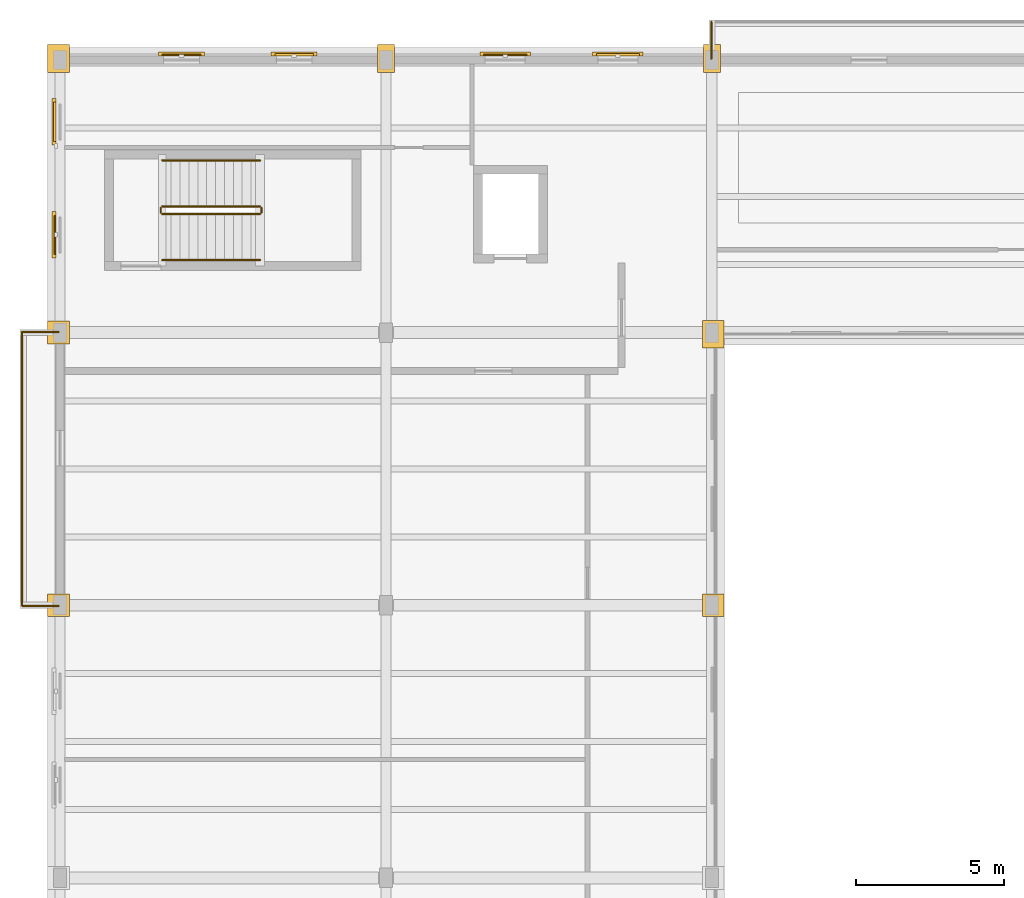
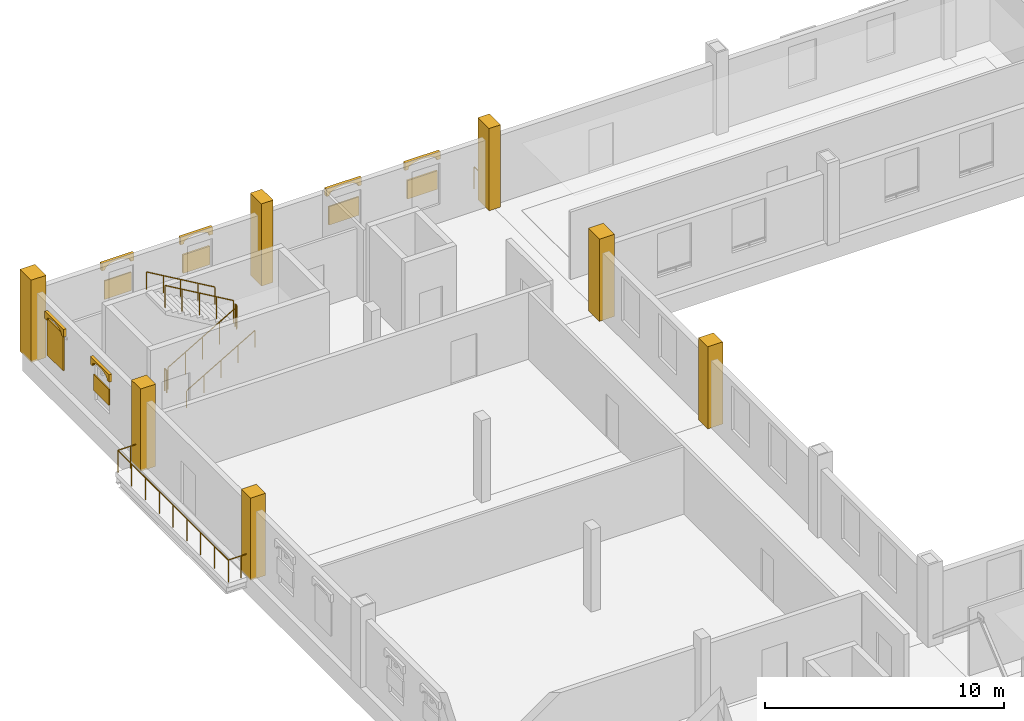
# One storey, part 41 of 43: 13 coverings, 10 railings, 6 shading devices.
"""IFC4 building model written with IfcOpenShell, lengths in metres."""

import ifcopenshell
import ifcopenshell.guid

model = None  # the IFC model being written
_history = None  # IfcOwnerHistory: only IFC2X3 demands one
_inside = {}  # id of a spatial element -> (the spatial element, [elements in it])
_under = {}  # id of a project, library or spatial element -> (it, [spatial elements below it])
_declared = {}  # id of a project -> (the project, [libraries it declares])
_typed = {}  # id of a type object -> (the type object, [elements of that type])
_made_of = {}  # id of a material, layer set ... -> (it, [elements and type objects made of it])


def new_model(schema):
    """Start an empty IFC model of exactly this schema.

    Asked for "IFC4X3", IfcOpenShell would pick the latest addendum, in which some entities
    have other attributes; the version numbers below select the first issue.
    IFC2X3 requires an IfcOwnerHistory on every rooted entity: one is made here for all.
    """
    global model, _history
    if schema == "IFC4X3":
        model = ifcopenshell.file(schema_version=(4, 3, 0, 0))
    else:
        model = ifcopenshell.file(schema=schema)
    _inside.clear()
    _under.clear()
    _declared.clear()
    _typed.clear()
    _made_of.clear()
    _history = None
    if model.schema == "IFC2X3":
        org = make("IfcOrganization", Name="unknown")
        user = make(
            "IfcPersonAndOrganization",
            ThePerson=make("IfcPerson", FamilyName="unknown"),
            TheOrganization=org,
        )
        app = make(
            "IfcApplication",
            ApplicationDeveloper=org,
            Version="unknown",
            ApplicationFullName="unknown",
            ApplicationIdentifier="unknown",
        )
        _history = make(
            "IfcOwnerHistory",
            OwningUser=user,
            OwningApplication=app,
            ChangeAction="ADDED",
            CreationDate=0,
        )
    return model


def make(cls, **values):
    """One entity of the class cls with the attributes given. An attribute that is None is left unset."""
    return model.create_entity(
        cls, **{name: value for name, value in values.items() if value is not None}
    )


def rooted(cls, **values):
    """An entity with a GlobalId (a new one), such as an element, a storey or a relation."""
    return make(cls, GlobalId=ifcopenshell.guid.new(), OwnerHistory=_history, **values)


def si_unit(unit_type, name, prefix=None):
    """IfcSIUnit, for example si_unit("LENGTHUNIT", "METRE", prefix="MILLI")."""
    return make("IfcSIUnit", UnitType=unit_type, Prefix=prefix, Name=name)


def assignment(units):
    """IfcUnitAssignment: the units of a project."""
    return None if units is None else make("IfcUnitAssignment", Units=units)


def point(xyz):
    """IfcCartesianPoint."""
    return None if xyz is None else make("IfcCartesianPoint", Coordinates=xyz)


def direction(xyz):
    """IfcDirection."""
    return None if xyz is None else make("IfcDirection", DirectionRatios=xyz)


def frame(location, z_axis=None, x_axis=None):
    """IfcAxis2Placement3D, a coordinate frame: its origin and axes. An axis left out is left unset."""
    return make(
        "IfcAxis2Placement3D",
        Location=point(location),
        Axis=direction(z_axis),
        RefDirection=direction(x_axis),
    )


def frame_2d(location, x_axis=None):
    """IfcAxis2Placement2D, a coordinate frame in the plane: its origin and x axis."""
    return make(
        "IfcAxis2Placement2D", Location=point(location), RefDirection=direction(x_axis)
    )


def origin():
    """The frame at (0, 0, 0) with its axes left unset."""
    return frame((0.0, 0.0, 0.0))


def origin_2d():
    """The frame at (0, 0) in the plane with its x axis left unset."""
    return frame_2d((0.0, 0.0))


def place(relative_to, where):
    """IfcLocalPlacement: puts the frame where relative to a parent placement (None: the world)."""
    return make(
        "IfcLocalPlacement", PlacementRelTo=relative_to, RelativePlacement=where
    )


def context(
    kind, dimensions, precision=None, world=None, true_north=None, identifier=None
):
    """IfcGeometricRepresentationContext, for example the 3D "Model" context."""
    return make(
        "IfcGeometricRepresentationContext",
        ContextIdentifier=identifier,
        ContextType=kind,
        CoordinateSpaceDimension=dimensions,
        Precision=precision,
        WorldCoordinateSystem=world,
        TrueNorth=true_north,
    )


def subcontext(parent, identifier, kind, view, scale=None):
    """IfcGeometricRepresentationSubContext, for example "Body" below "Model"."""
    return make(
        "IfcGeometricRepresentationSubContext",
        ContextIdentifier=identifier,
        ContextType=kind,
        ParentContext=parent,
        TargetScale=scale,
        TargetView=view,
    )


def project(units=None, contexts=None):
    """IfcProject with its units and contexts."""
    return rooted(
        "IfcProject",
        Name="project",
        RepresentationContexts=contexts,
        UnitsInContext=assignment(units),
    )


def spatial(cls, under=None, at=None, **own):
    """A site, building, storey or space (cls), placed at a placement, below another one or the project."""
    s = rooted(cls, ObjectPlacement=at, **own)
    if under is not None:
        _under.setdefault(under.id(), (under, []))[1].append(s)
    return s


def polyline(points):
    """IfcPolyline through the points."""
    return make("IfcPolyline", Points=[point(p) for p in points])


def profile(cls, at=None, kind="AREA", **sizes):
    """A parametric profile (cls). Its sizes go by their IFC names, for example OverallWidth=200.0."""
    return make(cls, ProfileType=kind, Position=at, **sizes)


def rectangle(**sizes):
    """IfcRectangleProfileDef."""
    return profile("IfcRectangleProfileDef", **sizes)


def circle(**sizes):
    """IfcCircleProfileDef."""
    return profile("IfcCircleProfileDef", **sizes)


def outline(outer, holes=None, kind="AREA"):
    """IfcArbitraryClosedProfileDef: a profile drawn as a closed curve; with holes, ...WithVoids."""
    if holes is None:
        return make("IfcArbitraryClosedProfileDef", ProfileType=kind, OuterCurve=outer)
    return make(
        "IfcArbitraryProfileDefWithVoids",
        ProfileType=kind,
        OuterCurve=outer,
        InnerCurves=holes,
    )


def extrude(swept, where, along, depth):
    """IfcExtrudedAreaSolid: the profile swept, set in the frame where, extruded along a direction by depth."""
    return make(
        "IfcExtrudedAreaSolid",
        SweptArea=swept,
        Position=where,
        ExtrudedDirection=direction(along),
        Depth=depth,
    )


def shape(context_of_items, identifier, shape_type, items):
    """IfcShapeRepresentation: the items that make up one representation, for example the "Body"."""
    return make(
        "IfcShapeRepresentation",
        ContextOfItems=context_of_items,
        RepresentationIdentifier=identifier,
        RepresentationType=shape_type,
        Items=items,
    )


def material(Name=None, Category=None):
    """IfcMaterial."""
    return make("IfcMaterial", Name=Name, Category=Category)


def layer(
    of_material, thickness, ventilated=None, Name=None, Category=None, Priority=None
):
    """IfcMaterialLayer: one layer of a wall or slab, of a material (None: an air gap)."""
    return make(
        "IfcMaterialLayer",
        Material=of_material,
        LayerThickness=thickness,
        IsVentilated=ventilated,
        Name=Name,
        Category=Category,
        Priority=Priority,
    )


def layer_set(layers, Name=None):
    """IfcMaterialLayerSet."""
    return make("IfcMaterialLayerSet", MaterialLayers=layers, LayerSetName=Name)


def made_of(thing, what):
    """Note that an element or type object is made of a material, layer set ...; save() writes the relation."""
    if what is not None:
        _made_of.setdefault(what.id(), (what, []))[1].append(thing)
    return thing


def type_object(cls, material=None, **own):
    """A type object (cls), such as IfcWallType, which elements share."""
    return made_of(rooted(cls, **own), material)


def element(
    cls,
    number,
    at=None,
    inside=None,
    cuts=None,
    type_object=None,
    material=None,
    context=None,
    identifier="Body",
    shape_type=None,
    held_by="IfcProductDefinitionShape",
    body=None,
    shapes=None,
    **own,
):
    """One element of the class cls, such as IfcWall. Its Tag is "e" and its number.

    at: its placement. inside: the storey or other place that contains it. cuts: it is an
    opening in that element (IfcRelVoidsElement). A single representation is given by context,
    identifier, shape_type and body (its items); several are given by shapes. held_by: the class
    of the entity that holds the representations. save() writes the other relations.
    """
    e = rooted(cls, Tag="e%d" % number, ObjectPlacement=at, **own)
    if body is not None:
        shapes = [shape(context, identifier, shape_type, body)]
    if shapes is not None:
        e.Representation = make(held_by, Representations=shapes)
    if inside is not None:
        _inside.setdefault(inside.id(), (inside, []))[1].append(e)
    if cuts is not None:
        rooted(
            "IfcRelVoidsElement", RelatingBuildingElement=cuts, RelatedOpeningElement=e
        )
    if type_object is not None:
        _typed.setdefault(type_object.id(), (type_object, []))[1].append(e)
    return made_of(e, material)


def aggregate(whole, parts):
    """IfcRelAggregates: a whole, such as a stair, and the parts it consists of."""
    return rooted("IfcRelAggregates", RelatingObject=whole, RelatedObjects=parts)


def save(model, path):
    """Write the relations noted so far, then the file.

    IfcRelAggregates (storeys below a building ...), IfcRelContainedInSpatialStructure (elements
    in a storey), IfcRelDefinesByType, IfcRelAssociatesMaterial and IfcRelDeclares: one each for
    every whole, place, type object, material and project.
    """
    for whole, parts in _under.values():
        aggregate(whole, parts)
    for where, things in _inside.values():
        rooted(
            "IfcRelContainedInSpatialStructure",
            RelatedElements=things,
            RelatingStructure=where,
        )
    for kind, things in _typed.values():
        rooted("IfcRelDefinesByType", RelatedObjects=things, RelatingType=kind)
    for what, things in _made_of.values():
        rooted("IfcRelAssociatesMaterial", RelatedObjects=things, RelatingMaterial=what)
    for by, libraries in _declared.values():
        rooted("IfcRelDeclares", RelatingContext=by, RelatedDefinitions=libraries)
    model.write(path)


model = new_model("IFC4")

# Units and contexts
model_context = context("Model", 3, precision=1e-05, world=origin(), true_north=direction((0.0, 1.0)))
body_context = subcontext(model_context, "Body", "Model", "MODEL_VIEW")
ifc_project = project(units=[si_unit("LENGTHUNIT", "METRE"), si_unit("AREAUNIT", "SQUARE_METRE"), si_unit("VOLUMEUNIT", "CUBIC_METRE"), si_unit("PLANEANGLEUNIT", "RADIAN"), si_unit("MASSUNIT", "GRAM", prefix="KILO")], contexts=[model_context])

# Site, building, storey
site_placement = place(None, origin())
site = spatial("IfcSite", under=ifc_project, at=site_placement, CompositionType="ELEMENT")
building_placement = place(site_placement, origin())
building = spatial("IfcBuilding", under=site, at=building_placement, Name="Caurita Quay Ferry Terminal", CompositionType="ELEMENT")
storey_placement = place(building_placement, frame((0.0, 0.0, 14.10009765625)))
storey = spatial("IfcBuildingStorey", under=building, at=storey_placement, Name="L03", CompositionType="ELEMENT", Elevation=14.10009765625)

# Coverings
ifc_material_1 = material(Name="Warm-white lime stucco masonry", Category="masonry")
ifc_layer_1 = layer(ifc_material_1, 0.179931640625, Name="Classical engaged lime-stucco facade pilaster cladding 180 mm")
ifc_layer_set_1 = layer_set([ifc_layer_1], Name="Warm-white lime stucco masonry")
covering_type_1 = type_object("IfcCoveringType", Name="COV-PIL-CLD", PredefinedType="CLADDING", material=ifc_layer_set_1)
for number, where, z_axis, x_axis, name in (
    (1, (-0.050048828125, 98.60009765625, 0.0), (0.0, 0.0, 1.0), (1.0, 0.0, 0.0), "L03 Classical Engaged Pilaster 0284"),
    (2, (-0.050048828125, 107.800048828125, 0.0), (0.0, 0.0, 1.0), (1.0, 0.0, 0.0), "L03 Classical Engaged Pilaster 0289"),
):
    element("IfcCovering", number, at=place(storey_placement, frame(where, z_axis=z_axis, x_axis=x_axis)), inside=storey, type_object=covering_type_1, Name=name, PredefinedType="CLADDING", context=body_context, shape_type="SweptSolid", body=[
        extrude(rectangle(XDim=0.72998046875, YDim=0.77001953125, at=origin_2d()), origin(), (0.0, 0.0, 1.0), 4.199951171875),
    ])
covering_1_placement = place(storey_placement, frame((-0.050048828125, 117.050048828125, 0.0), z_axis=(0.0, 0.0, 1.0), x_axis=(1.0, 0.0, 0.0)))
element("IfcCovering", 3, at=covering_1_placement, inside=storey, type_object=covering_type_1, Name="L03 Classical Engaged Pilaster 0294", PredefinedType="CLADDING", context=body_context, shape_type="SweptSolid", body=[
    extrude(rectangle(XDim=0.72998046875, YDim=0.929931640625, at=origin_2d()), origin(), (0.0, 0.0, 1.0), 4.199951171875),
])
covering_2_placement = place(storey_placement, frame((11.0, 117.050048828125, 0.0), z_axis=(0.0, 0.0, 1.0), x_axis=(1.0, 0.0, 0.0)))
element("IfcCovering", 4, at=covering_2_placement, inside=storey, type_object=covering_type_1, Name="L03 Classical Engaged Pilaster 0304", PredefinedType="CLADDING", context=body_context, shape_type="SweptSolid", body=[
    extrude(rectangle(XDim=0.570068359375, YDim=0.929931640625, at=origin_2d()), origin(), (0.0, 0.0, 1.0), 4.199951171875),
])
covering_3_placement = place(storey_placement, frame((22.050048828125, 98.60009765625, 0.0), z_axis=(0.0, 0.0, 1.0), x_axis=(1.0, 0.0, 0.0)))
element("IfcCovering", 5, at=covering_3_placement, inside=storey, type_object=covering_type_1, Name="L03 Classical Engaged Pilaster 0318", PredefinedType="CLADDING", context=body_context, shape_type="SweptSolid", body=[
    extrude(rectangle(XDim=0.72998046875, YDim=0.77001953125, at=origin_2d()), origin(), (0.0, 0.0, 1.0), 4.199951171875),
])
covering_4_placement = place(storey_placement, frame((22.050048828125, 107.75, 0.0), z_axis=(0.0, 0.0, 1.0), x_axis=(1.0, 0.0, 0.0)))
element("IfcCovering", 6, at=covering_4_placement, inside=storey, type_object=covering_type_1, Name="L03 Classical Engaged Pilaster 0321", PredefinedType="CLADDING", context=body_context, shape_type="SweptSolid", body=[
    extrude(rectangle(XDim=0.72998046875, YDim=0.929931640625, at=origin_2d()), origin(), (0.0, 0.0, 1.0), 4.199951171875),
])
covering_5_placement = place(storey_placement, frame((22.0, 117.050048828125, 0.0), z_axis=(0.0, 0.0, 1.0), x_axis=(1.0, 0.0, 0.0)))
element("IfcCovering", 7, at=covering_5_placement, inside=storey, type_object=covering_type_1, Name="L03 Classical Engaged Pilaster 0326", PredefinedType="CLADDING", context=body_context, shape_type="SweptSolid", body=[
    extrude(rectangle(XDim=0.570068359375, YDim=0.929931640625, at=origin_2d()), origin(), (0.0, 0.0, 1.0), 4.199951171875),
])
ifc_material_2 = material(Name="Coral stone ashlar cladding", Category="masonry")
ifc_layer_2 = layer(ifc_material_2, 0.139892578125, Name="Spanish Colonial semicircular arched window surround 140 mm")
ifc_layer_set_2 = layer_set([ifc_layer_2], Name="Coral stone ashlar cladding")
covering_type_2 = type_object("IfcCoveringType", Name="COV-WHD-MLD", PredefinedType="MOLDING", material=ifc_layer_set_2)
for number, where, z_axis, x_axis, name in (
    (8, (8.679931640625, 117.199951171875, 3.02978515625), (0.0, 0.0, 1.0), (-1.0, 0.0, 0.0), "L03 Arched Window Surround 013"),
    (9, (4.8798828125, 117.199951171875, 3.02978515625), (0.0, 0.0, 1.0), (-1.0, 0.0, 0.0), "L03 Arched Window Surround 014"),
):
    element("IfcCovering", number, at=place(storey_placement, frame(where, z_axis=z_axis, x_axis=x_axis)), inside=storey, type_object=covering_type_2, Name=name, PredefinedType="MOLDING", context=body_context, shape_type="SweptSolid", body=[
        extrude(outline(polyline([(0.0, 0.0), (0.159912109375, 0.0), (0.159912109375, 0.0400390625), (0.1904296875, 0.12158203125), (0.2783203125, 0.195068359375), (0.41552734375, 0.253662109375), (0.58837890625, 0.291015625), (0.77978515625, 0.303955078125), (0.971435546875, 0.291015625), (1.144287109375, 0.253662109375), (1.281494140625, 0.195068359375), (1.369384765625, 0.12158203125), (1.39990234375, 0.0400390625), (1.39990234375, 0.0), (1.559814453125, 0.0), (1.559814453125, 0.384033203125), (0.0, 0.384033203125), (0.0, 0.0)])), frame((0.0, 0.06982421875, 0.0), z_axis=(0.0, -1.0, 0.0), x_axis=(1.0, 0.0, 0.0)), (0.0, 0.0, 1.0), 0.139892578125),
    ])
for number, where, z_axis, x_axis, name in (
    (10, (19.679931640625, 117.199951171875, 3.02978515625), (0.0, 0.0, 1.0), (-1.0, 0.0, 0.0), "L03 Arched Window Surround 015"),
    (11, (15.8798828125, 117.199951171875, 3.02978515625), (0.0, 0.0, 1.0), (-1.0, 0.0, 0.0), "L03 Arched Window Surround 016"),
):
    element("IfcCovering", number, at=place(storey_placement, frame(where, z_axis=z_axis, x_axis=x_axis)), inside=storey, type_object=covering_type_2, Name=name, PredefinedType="MOLDING", context=body_context, shape_type="SweptSolid", body=[
        extrude(outline(polyline([(0.0, 0.0), (0.159912109375, 0.0), (0.159912109375, 0.0400390625), (0.194091796875, 0.12255859375), (0.292724609375, 0.197021484375), (0.446533203125, 0.256103515625), (0.64013671875, 0.2939453125), (0.85498046875, 0.306884765625), (1.06982421875, 0.2939453125), (1.263427734375, 0.256103515625), (1.417236328125, 0.197021484375), (1.515869140625, 0.12255859375), (1.550048828125, 0.0400390625), (1.550048828125, 0.0), (1.7099609375, 0.0), (1.7099609375, 0.38671875), (0.0, 0.38671875), (0.0, 0.0)])), frame((0.0, 0.06982421875, 0.0), z_axis=(0.0, -1.0, 0.0), x_axis=(1.0, 0.0, 0.0)), (0.0, 0.0, 1.0), 0.139892578125),
    ])
covering_6_placement = place(storey_placement, frame((-0.199951171875, 115.695068359375, 2.72998046875), z_axis=(0.0, 0.0, 1.0), x_axis=(0.0, -1.0, 0.0)))
element("IfcCovering", 12, at=covering_6_placement, inside=storey, type_object=covering_type_2, Name="L03 Arched Window Surround 052", PredefinedType="MOLDING", context=body_context, shape_type="SweptSolid", body=[
    extrude(outline(polyline([(0.0, 0.0), (0.159912109375, 0.0), (0.159912109375, 0.0400390625), (0.1904296875, 0.12158203125), (0.2783203125, 0.195068359375), (0.41552734375, 0.253662109375), (0.58837890625, 0.291015625), (0.780029296875, 0.303955078125), (0.9716796875, 0.291015625), (1.14453125, 0.253662109375), (1.28173828125, 0.195068359375), (1.36962890625, 0.12158203125), (1.400146484375, 0.0400390625), (1.400146484375, 0.0), (1.56005859375, 0.0), (1.56005859375, 0.384033203125), (0.0, 0.384033203125), (0.0, 0.0)])), frame((0.0, 0.06982421875, 0.0), z_axis=(0.0, -1.0, 0.0), x_axis=(1.0, 0.0, 0.0)), (0.0, 0.0, 1.0), 0.139892578125),
])
covering_7_placement = place(storey_placement, frame((-0.199951171875, 111.8798828125, 2.72998046875), z_axis=(0.0, 0.0, 1.0), x_axis=(0.0, -1.0, 0.0)))
element("IfcCovering", 13, at=covering_7_placement, inside=storey, type_object=covering_type_2, Name="L03 Arched Window Surround 053", PredefinedType="MOLDING", context=body_context, shape_type="SweptSolid", body=[
    extrude(outline(polyline([(0.0, 0.0), (0.159912109375, 0.0), (0.159912109375, 0.0400390625), (0.1904296875, 0.12158203125), (0.2783203125, 0.195068359375), (0.41552734375, 0.253662109375), (0.58837890625, 0.291015625), (0.77978515625, 0.303955078125), (0.971435546875, 0.291015625), (1.144287109375, 0.253662109375), (1.281494140625, 0.195068359375), (1.369384765625, 0.12158203125), (1.39990234375, 0.0400390625), (1.39990234375, 0.0), (1.559814453125, 0.0), (1.559814453125, 0.384033203125), (0.0, 0.384033203125), (0.0, 0.0)])), frame((0.0, 0.06982421875, 0.0), z_axis=(0.0, -1.0, 0.0), x_axis=(1.0, 0.0, 0.0)), (0.0, 0.0, 1.0), 0.139892578125),
])

# Railings
ifc_material_3 = material(Name="Bronze architectural metalwork", Category="metal")
railing_type_1 = type_object("IfcRailingType", Name="RL-HND-090", PredefinedType="HANDRAIL", material=ifc_material_3)
railing_1_placement = place(storey_placement, frame((3.449951171875, 110.25, 0.1748046875)))
element("IfcRailing", 14, at=railing_1_placement, inside=storey, type_object=railing_type_1, Name="L03 ST-01 stair handrail 1", PredefinedType="HANDRAIL", context=body_context, shape_type="SweptSolid", body=[
    extrude(circle(Radius=0.02392578125, at=origin_2d()), frame((0.0, 0.0, 0.8759765625), z_axis=(0.863776583165, 0.0, 0.503874998761), x_axis=(0.0, 1.0, 0.0)), (0.0, 0.0, 1.0), 3.820556640625),
    extrude(circle(Radius=0.02099609375, at=origin_2d()), origin(), (0.0, 0.0, 1.0), 0.851806640625),
    extrude(circle(Radius=0.02099609375, at=origin_2d()), frame((0.824951171875, 0.0, 0.481201171875)), (0.0, 0.0, 1.0), 0.851806640625),
    extrude(circle(Radius=0.02099609375, at=origin_2d()), frame((1.64990234375, 0.0, 0.96240234375)), (0.0, 0.0, 1.0), 0.851806640625),
    extrude(circle(Radius=0.02099609375, at=origin_2d()), frame((2.47509765625, 0.0, 1.44384765625)), (0.0, 0.0, 1.0), 0.851806640625),
    extrude(circle(Radius=0.02099609375, at=origin_2d()), frame((3.300048828125, 0.0, 1.925048828125)), (0.0, 0.0, 1.0), 0.851806640625),
])
railing_2_placement = place(storey_placement, frame((6.75, 113.610107421875, 2.27490234375)))
element("IfcRailing", 15, at=railing_2_placement, inside=storey, type_object=railing_type_1, Name="L03 ST-01 stair handrail 2", PredefinedType="HANDRAIL", context=body_context, shape_type="SweptSolid", body=[
    extrude(circle(Radius=0.02392578125, at=origin_2d()), frame((0.0, 0.0, 0.8759765625), z_axis=(-0.863776583165, 0.0, 0.503874998761), x_axis=(0.0, -1.0, 0.0)), (0.0, 0.0, 1.0), 3.820556640625),
    extrude(circle(Radius=0.02099609375, at=origin_2d()), origin(), (0.0, 0.0, 1.0), 0.851806640625),
    extrude(circle(Radius=0.02099609375, at=origin_2d()), frame((-0.824951171875, 0.0, 0.481201171875)), (0.0, 0.0, 1.0), 0.851806640625),
    extrude(circle(Radius=0.02099609375, at=origin_2d()), frame((-1.64990234375, 0.0, 0.96240234375)), (0.0, 0.0, 1.0), 0.851806640625),
    extrude(circle(Radius=0.02099609375, at=origin_2d()), frame((-2.47509765625, 0.0, 1.44384765625)), (0.0, 0.0, 1.0), 0.851806640625),
    extrude(circle(Radius=0.02099609375, at=origin_2d()), frame((-3.300048828125, 0.0, 1.925048828125)), (0.0, 0.0, 1.0), 0.851806640625),
])
railing_type_2 = type_object("IfcRailingType", Name="RL-REJA-115", PredefinedType="BALUSTRADE", material=ifc_material_3)
railing_3_placement = place(storey_placement, frame((21.97998046875, 117.050048828125, 0.0)))
element("IfcRailing", 16, at=railing_3_placement, inside=storey, type_object=railing_type_2, Name="L03 Crew Lounge Rejas Balcony Balustrade (128)", PredefinedType="BALUSTRADE", context=body_context, shape_type="SweptSolid", body=[
    extrude(circle(Radius=0.02392578125, at=origin_2d()), frame((0.0, 0.0, 1.1259765625), z_axis=(0.0, 1.0, 0.0), x_axis=(-1.0, 0.0, 0.0)), (0.0, 0.0, 1.0), 1.22998046875),
    extrude(circle(Radius=0.02099609375, at=origin_2d()), origin(), (0.0, 0.0, 1.0), 1.101806640625),
    extrude(circle(Radius=0.02099609375, at=origin_2d()), frame((0.0, 0.614990234375, 0.0)), (0.0, 0.0, 1.0), 1.101806640625),
    extrude(circle(Radius=0.02099609375, at=origin_2d()), frame((0.0, 1.22998046875, 0.0)), (0.0, 0.0, 1.0), 1.101806640625),
])
railing_4_placement = place(storey_placement, frame((-0.050048828125, 98.580078125, 0.0)))
element("IfcRailing", 17, at=railing_4_placement, inside=storey, type_object=railing_type_2, Name="L03 Harbour Master Rejas Balcony Balustrade (131)", PredefinedType="BALUSTRADE", context=body_context, shape_type="SweptSolid", body=[
    extrude(circle(Radius=0.02392578125, at=origin_2d()), frame((0.0, 0.0, 1.1259765625), z_axis=(-1.0, 0.0, 0.0), x_axis=(0.0, -1.0, 0.0)), (0.0, 0.0, 1.0), 1.22998046875),
    extrude(circle(Radius=0.02099609375, at=origin_2d()), origin(), (0.0, 0.0, 1.0), 1.101806640625),
    extrude(circle(Radius=0.02099609375, at=origin_2d()), frame((-0.614990234375, 0.0, 0.0)), (0.0, 0.0, 1.0), 1.101806640625),
    extrude(circle(Radius=0.02099609375, at=origin_2d()), frame((-1.22998046875, 0.0, 0.0)), (0.0, 0.0, 1.0), 1.101806640625),
])
railing_5_placement = place(storey_placement, frame((-1.280029296875, 98.580078125, 0.0)))
element("IfcRailing", 18, at=railing_5_placement, inside=storey, type_object=railing_type_2, Name="L03 Harbour Master Rejas Balcony Balustrade (132)", PredefinedType="BALUSTRADE", context=body_context, shape_type="SweptSolid", body=[
    extrude(circle(Radius=0.02392578125, at=origin_2d()), frame((0.0, 0.0, 1.1259765625), z_axis=(0.0, 1.0, 0.0), x_axis=(-1.0, 0.0, 0.0)), (0.0, 0.0, 1.0), 9.239990234375),
    extrude(circle(Radius=0.02099609375, at=origin_2d()), origin(), (0.0, 0.0, 1.0), 1.101806640625),
    extrude(circle(Radius=0.02099609375, at=origin_2d()), frame((0.0, 1.155029296875, 0.0)), (0.0, 0.0, 1.0), 1.101806640625),
    extrude(circle(Radius=0.02099609375, at=origin_2d()), frame((0.0, 2.31005859375, 0.0)), (0.0, 0.0, 1.0), 1.101806640625),
    extrude(circle(Radius=0.02099609375, at=origin_2d()), frame((0.0, 3.465087890625, 0.0)), (0.0, 0.0, 1.0), 1.101806640625),
    extrude(circle(Radius=0.02099609375, at=origin_2d()), frame((0.0, 4.6201171875, 0.0)), (0.0, 0.0, 1.0), 1.101806640625),
    extrude(circle(Radius=0.02099609375, at=origin_2d()), frame((0.0, 5.77490234375, 0.0)), (0.0, 0.0, 1.0), 1.101806640625),
    extrude(circle(Radius=0.02099609375, at=origin_2d()), frame((0.0, 6.929931640625, 0.0)), (0.0, 0.0, 1.0), 1.101806640625),
    extrude(circle(Radius=0.02099609375, at=origin_2d()), frame((0.0, 8.0849609375, 0.0)), (0.0, 0.0, 1.0), 1.101806640625),
    extrude(circle(Radius=0.02099609375, at=origin_2d()), frame((0.0, 9.239990234375, 0.0)), (0.0, 0.0, 1.0), 1.101806640625),
])
railing_6_placement = place(storey_placement, frame((-1.280029296875, 107.820068359375, 0.0)))
element("IfcRailing", 19, at=railing_6_placement, inside=storey, type_object=railing_type_2, Name="L03 Harbour Master Rejas Balcony Balustrade (133)", PredefinedType="BALUSTRADE", context=body_context, shape_type="SweptSolid", body=[
    extrude(circle(Radius=0.02392578125, at=origin_2d()), frame((0.0, 0.0, 1.1259765625), z_axis=(1.0, 0.0, 0.0), x_axis=(0.0, 1.0, 0.0)), (0.0, 0.0, 1.0), 1.22998046875),
    extrude(circle(Radius=0.02099609375, at=origin_2d()), origin(), (0.0, 0.0, 1.0), 1.101806640625),
    extrude(circle(Radius=0.02099609375, at=origin_2d()), frame((0.614990234375, 0.0, 0.0)), (0.0, 0.0, 1.0), 1.101806640625),
    extrude(circle(Radius=0.02099609375, at=origin_2d()), frame((1.22998046875, 0.0, 0.0)), (0.0, 0.0, 1.0), 1.101806640625),
])
railing_7_placement = place(storey_placement, frame((3.449951171875, 111.800048828125, 0.1748046875)))
element("IfcRailing", 20, at=railing_7_placement, inside=storey, type_object=railing_type_2, Name="L03 ST-01 stair guard 1", PredefinedType="BALUSTRADE", context=body_context, shape_type="SweptSolid", body=[
    extrude(circle(Radius=0.02392578125, at=origin_2d()), frame((0.0, 0.0, 1.1259765625), z_axis=(0.863776583165, 0.0, 0.503874998761), x_axis=(0.0, 1.0, 0.0)), (0.0, 0.0, 1.0), 3.820556640625),
    extrude(circle(Radius=0.02099609375, at=origin_2d()), origin(), (0.0, 0.0, 1.0), 1.101806640625),
    extrude(circle(Radius=0.02099609375, at=origin_2d()), frame((0.824951171875, 0.0, 0.481201171875)), (0.0, 0.0, 1.0), 1.101806640625),
    extrude(circle(Radius=0.02099609375, at=origin_2d()), frame((1.64990234375, 0.0, 0.96240234375)), (0.0, 0.0, 1.0), 1.101806640625),
    extrude(circle(Radius=0.02099609375, at=origin_2d()), frame((2.47509765625, 0.0, 1.44384765625)), (0.0, 0.0, 1.0), 1.101806640625),
    extrude(circle(Radius=0.02099609375, at=origin_2d()), frame((3.300048828125, 0.0, 1.925048828125)), (0.0, 0.0, 1.0), 1.101806640625),
])
railing_8_placement = place(storey_placement, frame((6.800048828125, 111.85009765625, 2.099853515625)))
element("IfcRailing", 21, at=railing_8_placement, inside=storey, type_object=railing_type_2, Name="L03 ST-01 stair guard 2", PredefinedType="BALUSTRADE", context=body_context, shape_type="SweptSolid", body=[
    extrude(circle(Radius=0.02392578125, at=origin_2d()), frame((0.0, 0.0, 1.1259765625), z_axis=(0.0, 1.0, 0.0), x_axis=(-1.0, 0.0, 0.0)), (0.0, 0.0, 1.0), 0.159912109375),
    extrude(circle(Radius=0.02099609375, at=origin_2d()), origin(), (0.0, 0.0, 1.0), 1.101806640625),
    extrude(circle(Radius=0.02099609375, at=origin_2d()), frame((0.0, 0.159912109375, 0.0)), (0.0, 0.0, 1.0), 1.101806640625),
])
railing_9_placement = place(storey_placement, frame((6.75, 112.06005859375, 2.27490234375)))
element("IfcRailing", 22, at=railing_9_placement, inside=storey, type_object=railing_type_2, Name="L03 ST-01 stair guard 3", PredefinedType="BALUSTRADE", context=body_context, shape_type="SweptSolid", body=[
    extrude(circle(Radius=0.02392578125, at=origin_2d()), frame((0.0, 0.0, 1.1259765625), z_axis=(-0.863776583165, 0.0, 0.503874998761), x_axis=(0.0, -1.0, 0.0)), (0.0, 0.0, 1.0), 3.820556640625),
    extrude(circle(Radius=0.02099609375, at=origin_2d()), origin(), (0.0, 0.0, 1.0), 1.101806640625),
    extrude(circle(Radius=0.02099609375, at=origin_2d()), frame((-0.824951171875, 0.0, 0.481201171875)), (0.0, 0.0, 1.0), 1.101806640625),
    extrude(circle(Radius=0.02099609375, at=origin_2d()), frame((-1.64990234375, 0.0, 0.96240234375)), (0.0, 0.0, 1.0), 1.101806640625),
    extrude(circle(Radius=0.02099609375, at=origin_2d()), frame((-2.47509765625, 0.0, 1.44384765625)), (0.0, 0.0, 1.0), 1.101806640625),
    extrude(circle(Radius=0.02099609375, at=origin_2d()), frame((-3.300048828125, 0.0, 1.925048828125)), (0.0, 0.0, 1.0), 1.101806640625),
])
railing_10_placement = place(storey_placement, frame((3.39990234375, 111.85009765625, 0.0)))
element("IfcRailing", 23, at=railing_10_placement, inside=storey, type_object=railing_type_2, Name="L03 ST-01 stair guard 4", PredefinedType="BALUSTRADE", context=body_context, shape_type="SweptSolid", body=[
    extrude(circle(Radius=0.02392578125, at=origin_2d()), frame((0.0, 0.0, 1.1259765625), z_axis=(0.0, 1.0, 0.0), x_axis=(-1.0, 0.0, 0.0)), (0.0, 0.0, 1.0), 0.159912109375),
    extrude(circle(Radius=0.02099609375, at=origin_2d()), origin(), (0.0, 0.0, 1.0), 1.101806640625),
    extrude(circle(Radius=0.02099609375, at=origin_2d()), frame((0.0, 0.159912109375, 0.0)), (0.0, 0.0, 1.0), 1.101806640625),
])

# Shading devices
shading_device_type_1 = type_object("IfcShadingDeviceType", Name="SHD-JAL-01", PredefinedType="JALOUSIE", material=ifc_material_3)
shading_device_1_placement = place(storey_placement, frame((7.89990234375, 117.177978515625, 1.52734375), z_axis=(0.0, 0.0, 1.0), x_axis=(-1.0, 0.0, 0.0)))
element("IfcShadingDevice", 24, at=shading_device_1_placement, inside=storey, type_object=shading_device_type_1, Name="L03 Tropical Window Sun-Breaker 025", PredefinedType="JALOUSIE", context=body_context, shape_type="SweptSolid", body=[
    extrude(rectangle(XDim=1.300048828125, YDim=0.080078125, at=origin_2d()), origin(), (0.0, 0.0, 1.0), 0.945068359375),
])
shading_device_2_placement = place(storey_placement, frame((18.824951171875, 117.177978515625, 1.52734375), z_axis=(0.0, 0.0, 1.0), x_axis=(-1.0, 0.0, 0.0)))
element("IfcShadingDevice", 25, at=shading_device_2_placement, inside=storey, type_object=shading_device_type_1, Name="L03 Tropical Window Sun-Breaker 027", PredefinedType="JALOUSIE", context=body_context, shape_type="SweptSolid", body=[
    extrude(rectangle(XDim=1.449951171875, YDim=0.080078125, at=origin_2d()), origin(), (0.0, 0.0, 1.0), 0.945068359375),
])
shading_device_3_placement = place(storey_placement, frame((-0.177978515625, 114.9150390625, 0.909912109375), z_axis=(0.0, 0.0, 1.0), x_axis=(0.0, -1.0, 0.0)))
element("IfcShadingDevice", 26, at=shading_device_3_placement, inside=storey, type_object=shading_device_type_1, Name="L03 Tropical Window Sun-Breaker 057", PredefinedType="JALOUSIE", context=body_context, shape_type="SweptSolid", body=[
    extrude(rectangle(XDim=1.320068359375, YDim=0.080078125, at=origin_2d()), origin(), (0.0, 0.0, 1.0), 1.8798828125),
])
ifc_material_4 = material(Name="Tropical mahogany hardwood", Category="wood")
shading_device_type_2 = type_object("IfcShadingDeviceType", Name="SHD-SHT-01", PredefinedType="SHUTTER", material=ifc_material_4)
shading_device_4_placement = place(storey_placement, frame((4.10009765625, 117.16796875, 1.52734375), z_axis=(0.0, 0.0, 1.0), x_axis=(-1.0, 0.0, 0.0)))
element("IfcShadingDevice", 27, at=shading_device_4_placement, inside=storey, type_object=shading_device_type_2, Name="L03 Tropical Window Sun-Breaker 026", PredefinedType="SHUTTER", context=body_context, shape_type="SweptSolid", body=[
    extrude(rectangle(XDim=1.300048828125, YDim=0.06005859375, at=origin_2d()), origin(), (0.0, 0.0, 1.0), 0.945068359375),
])
shading_device_5_placement = place(storey_placement, frame((15.02490234375, 117.16796875, 1.52734375), z_axis=(0.0, 0.0, 1.0), x_axis=(-1.0, 0.0, 0.0)))
element("IfcShadingDevice", 28, at=shading_device_5_placement, inside=storey, type_object=shading_device_type_2, Name="L03 Tropical Window Sun-Breaker 028", PredefinedType="SHUTTER", context=body_context, shape_type="SweptSolid", body=[
    extrude(rectangle(XDim=1.449951171875, YDim=0.06005859375, at=origin_2d()), origin(), (0.0, 0.0, 1.0), 0.945068359375),
])
shading_device_6_placement = place(storey_placement, frame((-0.16796875, 111.10009765625, 1.44482421875), z_axis=(0.0, 0.0, 1.0), x_axis=(0.0, -1.0, 0.0)))
element("IfcShadingDevice", 29, at=shading_device_6_placement, inside=storey, type_object=shading_device_type_2, Name="L03 Tropical Window Sun-Breaker 058", PredefinedType="SHUTTER", context=body_context, shape_type="SweptSolid", body=[
    extrude(rectangle(XDim=1.300048828125, YDim=0.06005859375, at=origin_2d()), origin(), (0.0, 0.0, 1.0), 0.81005859375),
])

save(model, "model.ifc")
